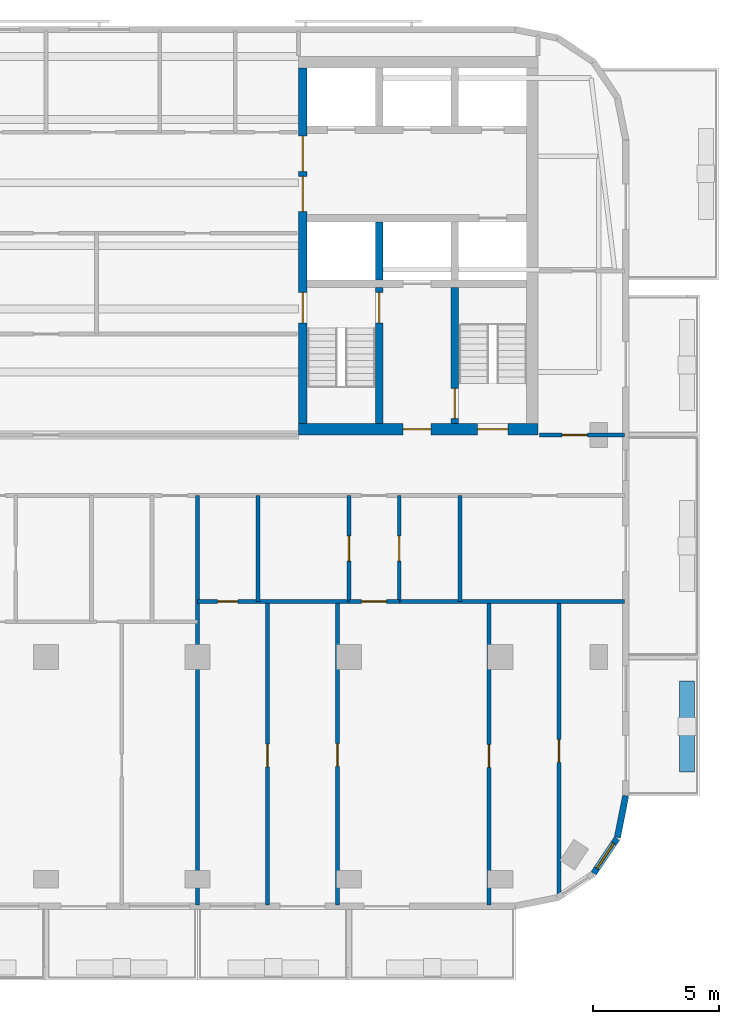
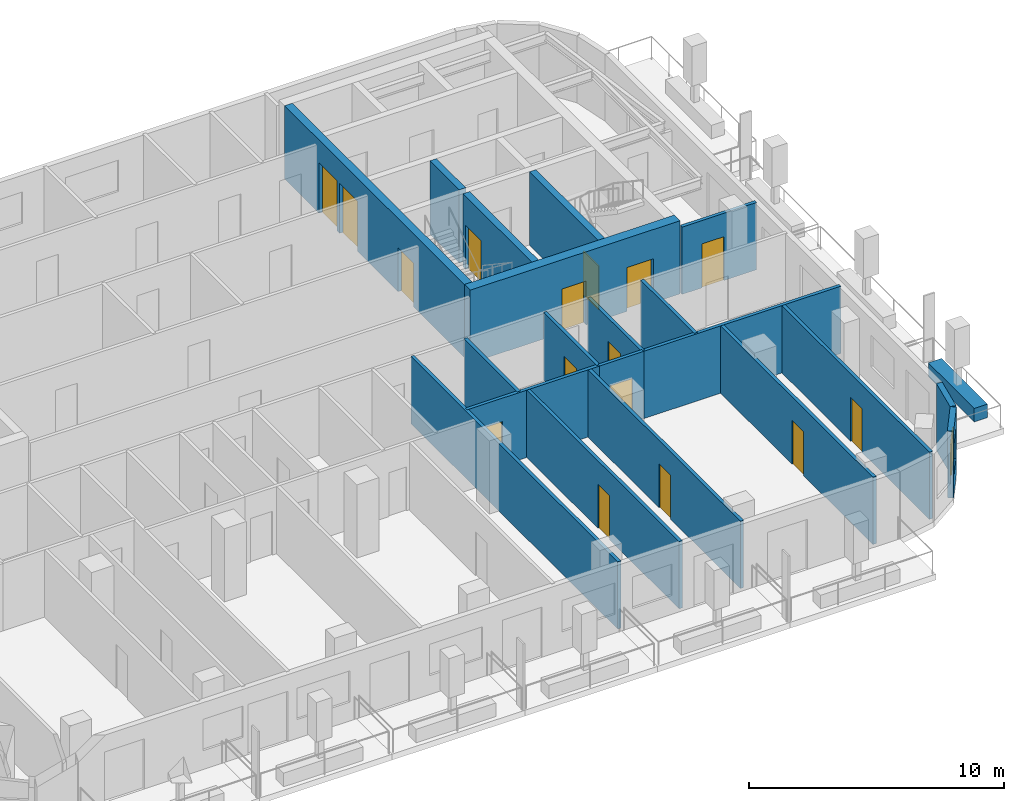
# One storey, part 5 of 11: 21 walls, 16 doors, 1 window, 17 openings.
"""IFC4 building model written with IfcOpenShell, lengths in metres."""

from ifc_helpers import new_model, si_unit, direction, frame, frame_2d, origin, place, context, subcontext, project, spatial, rectangle, extrude, material, layer, layer_set, type_object, element, fill, save


model = new_model("IFC4")

# Units and contexts
model_context = context("Model", 3, precision=1e-05, world=origin(), true_north=direction((0.0, 1.0)))
body_context = subcontext(model_context, "Body", "Model", "MODEL_VIEW")
ifc_project = project(units=[si_unit("LENGTHUNIT", "METRE"), si_unit("AREAUNIT", "SQUARE_METRE"), si_unit("VOLUMEUNIT", "CUBIC_METRE"), si_unit("PLANEANGLEUNIT", "RADIAN"), si_unit("MASSUNIT", "GRAM", prefix="KILO")], contexts=[model_context])

# Site, building, storey
site_placement = place(None, origin())
site = spatial("IfcSite", under=ifc_project, at=site_placement, CompositionType="ELEMENT")
building_placement = place(site_placement, origin())
building = spatial("IfcBuilding", under=site, at=building_placement, Name="Torana Hotel and Residences", CompositionType="ELEMENT")
storey_placement = place(building_placement, frame((0.0, 0.0, 305.10009765625)))
storey = spatial("IfcBuildingStorey", under=building, at=storey_placement, Name="L81", CompositionType="ELEMENT", Elevation=305.10009765625)

# Wall
ifc_material_1 = material(Name="Concrete C60/75", Category="concrete")
ifc_layer_1 = layer(ifc_material_1, 0.300048828125)
ifc_layer_set_1 = layer_set([ifc_layer_1], Name="CORE WALL 300 C60/75")
wall_type_1 = type_object("IfcWallType", Name="CORE WALL 300 C60/75", PredefinedType="SHEAR", material=ifc_layer_set_1)
wall_1_placement = place(storey_placement, frame((13.199951171875, -8.85009765625, 0.0), z_axis=(0.0, 0.0, 1.0), x_axis=(0.0, 1.0, 0.0)))
element("IfcWall", 1, at=wall_1_placement, inside=storey, type_object=wall_type_1, Name="Core wall E x3.05-S", PredefinedType="SHEAR", context=body_context, shape_type="SweptSolid", body=[
    extrude(rectangle(XDim=2.300048828125, YDim=0.300048828125, at=frame_2d((1.14990234375, 0.0))), origin(), (0.0, 0.0, 1.0), 3.5),
])

# Wall, opening, door
wall_2_placement = place(storey_placement, frame((13.199951171875, -14.550048828125, 0.0), z_axis=(0.0, 0.0, 1.0), x_axis=(0.0, 1.0, 0.0)))
wall_2 = element("IfcWall", 2, at=wall_2_placement, inside=storey, type_object=wall_type_1, Name="Core wall E x3.05-band", PredefinedType="SHEAR", context=body_context, shape_type="SweptSolid", body=[
    extrude(rectangle(XDim=5.400146484375, YDim=0.300048828125, at=frame_2d((2.7001953125, 0.0))), origin(), (0.0, 0.0, 1.0), 3.5),
])
opening_1_placement = place(wall_2_placement, frame((4.0, 0.0, 0.0)))
opening_1 = element("IfcOpeningElement", 3, at=opening_1_placement, cuts=wall_2, Name="Opening L81-15", PredefinedType="OPENING", context=body_context, shape_type="SweptSolid", body=[
    extrude(rectangle(XDim=1.199951171875, YDim=2.10009765625, at=frame_2d((0.60009765625, 1.050048828125))), frame((0.0, 0.159912109375, 0.0), z_axis=(0.0, -1.0, 0.0), x_axis=(1.0, 0.0, 0.0)), (0.0, 0.0, 1.0), 0.320068359375),
])
ifc_material_2 = material(Name="Steel S235", Category="steel")
door_type_1 = type_object("IfcDoorType", Name="STAIR FIRE DOOR D3 1200x2100", OperationType="SINGLE_SWING_LEFT", PredefinedType="DOOR", material=ifc_material_2)
door_1_placement = place(opening_1_placement, origin())
door_1 = element("IfcDoor", 4, at=door_1_placement, inside=storey, type_object=door_type_1, Name="Stair-A-lobby door L81", OperationType="SINGLE_SWING_LEFT", OverallHeight=2.10009765625, OverallWidth=1.199951171875, PredefinedType="DOOR", context=body_context, shape_type="SweptSolid", body=[
    extrude(rectangle(XDim=1.199951171875, YDim=2.10009765625, at=frame_2d((0.60009765625, 1.050048828125))), frame((0.0, 0.02490234375, 0.0), z_axis=(0.0, -1.0, 0.0), x_axis=(1.0, 0.0, 0.0)), (0.0, 0.0, 1.0), 0.050048828125),
])
fill(opening_1, door_1)

wall_3_placement = place(storey_placement, frame((16.199951171875, -14.550048828125, 0.0), z_axis=(0.0, 0.0, 1.0), x_axis=(0.0, 1.0, 0.0)))
wall_3 = element("IfcWall", 5, at=wall_3_placement, inside=storey, type_object=wall_type_1, Name="Core wall E x6.05-band", PredefinedType="SHEAR", context=body_context, shape_type="SweptSolid", body=[
    extrude(rectangle(XDim=5.400146484375, YDim=0.300048828125, at=frame_2d((2.7001953125, 0.0))), origin(), (0.0, 0.0, 1.0), 3.5),
])
opening_2_placement = place(wall_3_placement, frame((0.199951171875, 0.0, 0.0)))
opening_2 = element("IfcOpeningElement", 6, at=opening_2_placement, cuts=wall_3, Name="Opening L81-16", PredefinedType="OPENING", context=body_context, shape_type="SweptSolid", body=[
    extrude(rectangle(XDim=1.199951171875, YDim=2.10009765625, at=frame_2d((0.60009765625, 1.050048828125))), frame((0.0, 0.159912109375, 0.0), z_axis=(0.0, -1.0, 0.0), x_axis=(1.0, 0.0, 0.0)), (0.0, 0.0, 1.0), 0.320068359375),
])
door_2_placement = place(opening_2_placement, frame((0.60009765625, 0.0, 0.0), z_axis=(0.0, 0.0, 1.0), x_axis=(-1.0, 0.0, 0.0)))
door_2 = element("IfcDoor", 7, at=door_2_placement, inside=storey, type_object=door_type_1, Name="Stair-B-lobby door L81", OperationType="SINGLE_SWING_LEFT", OverallHeight=2.10009765625, OverallWidth=1.199951171875, PredefinedType="DOOR", context=body_context, shape_type="SweptSolid", body=[
    extrude(rectangle(XDim=1.199951171875, YDim=2.10009765625, at=frame_2d((0.0, 1.050048828125))), frame((0.0, -0.02490234375, 0.0), z_axis=(0.0, 1.0, 0.0), x_axis=(-1.0, 0.0, 0.0)), (0.0, 0.0, 1.0), 0.050048828125),
])
fill(opening_2, door_2)

# Wall, openings, doors
ifc_material_3 = material(Name="Concrete C60/75", Category="concrete")
ifc_layer_2 = layer(ifc_material_3, 0.35009765625)
ifc_layer_set_2 = layer_set([ifc_layer_2], Name="CORE WALL 350 C60/75")
wall_type_2 = type_object("IfcWallType", Name="CORE WALL 350 C60/75", PredefinedType="SHEAR", material=ifc_layer_set_2)
wall_4_placement = place(storey_placement, frame((10.175048828125, -14.550048828125, 0.0), z_axis=(0.0, 0.0, 1.0), x_axis=(0.0, 1.0, 0.0)))
wall_4 = element("IfcWall", 8, at=wall_4_placement, inside=storey, type_object=wall_type_2, Name="Core wall E arch", PredefinedType="SHEAR", context=body_context, shape_type="SweptSolid", body=[
    extrude(rectangle(XDim=14.10009765625, YDim=0.35009765625, at=frame_2d((7.050048828125, 0.0))), origin(), (0.0, 0.0, 1.0), 3.5),
])
opening_3_placement = place(wall_4_placement, frame((8.39990234375, 0.0, 0.0)))
opening_3 = element("IfcOpeningElement", 9, at=opening_3_placement, cuts=wall_4, Name="Opening L81-09", PredefinedType="OPENING", context=body_context, shape_type="SweptSolid", body=[
    extrude(rectangle(XDim=1.39990234375, YDim=2.39990234375, at=frame_2d((0.699951171875, 1.199951171875))), frame((0.0, 0.18505859375, 0.0), z_axis=(0.0, -1.0, 0.0), x_axis=(1.0, 0.0, 0.0)), (0.0, 0.0, 1.0), 0.3701171875),
])
opening_4_placement = place(wall_4_placement, frame((10.0, 0.0, 0.0)))
opening_4 = element("IfcOpeningElement", 10, at=opening_4_placement, cuts=wall_4, Name="Opening L81-10", PredefinedType="OPENING", context=body_context, shape_type="SweptSolid", body=[
    extrude(rectangle(XDim=1.39990234375, YDim=2.39990234375, at=frame_2d((0.699951171875, 1.199951171875))), frame((0.0, 0.18505859375, 0.0), z_axis=(0.0, -1.0, 0.0), x_axis=(1.0, 0.0, 0.0)), (0.0, 0.0, 1.0), 0.3701171875),
])
opening_5_placement = place(wall_4_placement, frame((4.0, 0.0, 0.0)))
opening_5 = element("IfcOpeningElement", 11, at=opening_5_placement, cuts=wall_4, Name="Opening L81-11", PredefinedType="OPENING", context=body_context, shape_type="SweptSolid", body=[
    extrude(rectangle(XDim=1.199951171875, YDim=2.10009765625, at=frame_2d((0.60009765625, 1.050048828125))), frame((0.0, 0.18505859375, 0.0), z_axis=(0.0, -1.0, 0.0), x_axis=(1.0, 0.0, 0.0)), (0.0, 0.0, 1.0), 0.3701171875),
])
ifc_material_4 = material(Name="Steel S235", Category="steel")
door_type_2 = type_object("IfcDoorType", Name="LOBBY FIRE DOOR D4 1400x2400", OperationType="DOUBLE_DOOR_SINGLE_SWING", PredefinedType="DOOR", material=ifc_material_4)
door_3_placement = place(opening_3_placement, origin())
door_3 = element("IfcDoor", 12, at=door_3_placement, inside=storey, type_object=door_type_2, Name="Lobby-1 door L81", OperationType="DOUBLE_DOOR_SINGLE_SWING", OverallHeight=2.39990234375, OverallWidth=1.39990234375, PredefinedType="DOOR", context=body_context, shape_type="SweptSolid", body=[
    extrude(rectangle(XDim=1.39990234375, YDim=2.39990234375, at=frame_2d((0.699951171875, 1.199951171875))), frame((0.0, 0.02490234375, 0.0), z_axis=(0.0, -1.0, 0.0), x_axis=(1.0, 0.0, 0.0)), (0.0, 0.0, 1.0), 0.050048828125),
])
fill(opening_3, door_3)
door_4_placement = place(opening_4_placement, origin())
door_4 = element("IfcDoor", 13, at=door_4_placement, inside=storey, type_object=door_type_2, Name="Lobby-2 door L81", OperationType="DOUBLE_DOOR_SINGLE_SWING", OverallHeight=2.39990234375, OverallWidth=1.39990234375, PredefinedType="DOOR", context=body_context, shape_type="SweptSolid", body=[
    extrude(rectangle(XDim=1.39990234375, YDim=2.39990234375, at=frame_2d((0.699951171875, 1.199951171875))), frame((0.0, 0.02490234375, 0.0), z_axis=(0.0, -1.0, 0.0), x_axis=(1.0, 0.0, 0.0)), (0.0, 0.0, 1.0), 0.050048828125),
])
fill(opening_4, door_4)
door_5_placement = place(opening_5_placement, frame((0.60009765625, 0.0, 0.0), z_axis=(0.0, 0.0, 1.0), x_axis=(-1.0, 0.0, 0.0)))
door_5 = element("IfcDoor", 14, at=door_5_placement, inside=storey, type_object=door_type_1, Name="Stair-A door L81", OperationType="SINGLE_SWING_RIGHT", OverallHeight=2.10009765625, OverallWidth=1.199951171875, PredefinedType="DOOR", context=body_context, shape_type="SweptSolid", body=[
    extrude(rectangle(XDim=1.199951171875, YDim=2.10009765625, at=frame_2d((0.0, 1.050048828125))), frame((0.0, -0.02490234375, 0.0), z_axis=(0.0, 1.0, 0.0), x_axis=(-1.0, 0.0, 0.0)), (0.0, 0.0, 1.0), 0.050048828125),
])
fill(opening_5, door_5)

ifc_material_5 = material(Name="Concrete C60/75", Category="concrete")
ifc_layer_3 = layer(ifc_material_5, 0.449951171875)
ifc_layer_set_3 = layer_set([ifc_layer_3], Name="CORE WALL 450 C60/75")
wall_type_3 = type_object("IfcWallType", Name="CORE WALL 450 C60/75", PredefinedType="SHEAR", material=ifc_layer_set_3)
wall_5_placement = place(storey_placement, frame((10.0, -14.77490234375, 0.0), z_axis=(0.0, 0.0, 1.0), x_axis=(1.0, 0.0, 0.0)))
wall_5 = element("IfcWall", 15, at=wall_5_placement, inside=storey, type_object=wall_type_3, Name="Core wall E front", PredefinedType="SHEAR", context=body_context, shape_type="SweptSolid", body=[
    extrude(rectangle(XDim=9.5, YDim=0.449951171875, at=frame_2d((4.75, 0.0))), origin(), (0.0, 0.0, 1.0), 3.5),
])
opening_6_placement = place(wall_5_placement, frame((7.10009765625, 0.0, 0.0)))
opening_6 = element("IfcOpeningElement", 16, at=opening_6_placement, cuts=wall_5, Name="Opening L81-12", PredefinedType="OPENING", context=body_context, shape_type="SweptSolid", body=[
    extrude(rectangle(XDim=1.199951171875, YDim=2.10009765625, at=frame_2d((0.60009765625, 1.050048828125))), frame((0.0, 0.23486328125, 0.0), z_axis=(0.0, -1.0, 0.0), x_axis=(1.0, 0.0, 0.0)), (0.0, 0.0, 1.0), 0.469970703125),
])
opening_7_placement = place(wall_5_placement, frame((4.14990234375, 0.0, 0.0)))
opening_7 = element("IfcOpeningElement", 17, at=opening_7_placement, cuts=wall_5, Name="Opening L81-13", PredefinedType="OPENING", context=body_context, shape_type="SweptSolid", body=[
    extrude(rectangle(XDim=1.10009765625, YDim=2.10009765625, at=frame_2d((0.550048828125, 1.050048828125))), frame((0.0, 0.23486328125, 0.0), z_axis=(0.0, -1.0, 0.0), x_axis=(1.0, 0.0, 0.0)), (0.0, 0.0, 1.0), 0.469970703125),
])
ifc_material_6 = material(Name="Steel S235", Category="steel")
door_type_3 = type_object("IfcDoorType", Name="FIRE-FIGHTING LOBBY DOOR D8 1100x2100", OperationType="SINGLE_SWING_LEFT", PredefinedType="DOOR", material=ifc_material_6)
door_6_placement = place(opening_7_placement, origin())
door_6 = element("IfcDoor", 18, at=door_6_placement, inside=storey, type_object=door_type_3, Name="FF-lobby door L81", OperationType="SINGLE_SWING_RIGHT", OverallHeight=2.10009765625, OverallWidth=1.10009765625, PredefinedType="DOOR", context=body_context, shape_type="SweptSolid", body=[
    extrude(rectangle(XDim=1.10009765625, YDim=2.10009765625, at=frame_2d((0.550048828125, 1.050048828125))), frame((0.0, 0.02490234375, 0.0), z_axis=(0.0, -1.0, 0.0), x_axis=(1.0, 0.0, 0.0)), (0.0, 0.0, 1.0), 0.050048828125),
])
fill(opening_7, door_6)
door_7_placement = place(opening_6_placement, origin())
door_7 = element("IfcDoor", 19, at=door_7_placement, inside=storey, type_object=door_type_1, Name="Stair-B door L81", OperationType="SINGLE_SWING_RIGHT", OverallHeight=2.10009765625, OverallWidth=1.199951171875, PredefinedType="DOOR", context=body_context, shape_type="SweptSolid", body=[
    extrude(rectangle(XDim=1.199951171875, YDim=2.10009765625, at=frame_2d((0.60009765625, 1.050048828125))), frame((0.0, 0.02490234375, 0.0), z_axis=(0.0, -1.0, 0.0), x_axis=(1.0, 0.0, 0.0)), (0.0, 0.0, 1.0), 0.050048828125),
])
fill(opening_6, door_7)

# Wall, opening, window
ifc_material_7 = material(Name="Black aluminium composite panel", Category="aluminium")
ifc_layer_4 = layer(ifc_material_7, 0.00390625, Name="Cladding", Category="cladding")
ifc_material_8 = material(Name="Ventilated air cavity")
ifc_layer_5 = layer(ifc_material_8, 0.0400390625, Name="Ventilated cavity", Category="cavity")
ifc_material_9 = material(Name="Mineral wool insulation")
ifc_layer_6 = layer(ifc_material_9, 0.090087890625, Name="Insulation", Category="insulation")
ifc_material_10 = material(Name="Steel S280GD", Category="steel")
ifc_layer_7 = layer(ifc_material_10, 0.092041015625, Name="Steel stud frame", Category="structure")
ifc_material_11 = material(Name="Fire rated plasterboard")
ifc_layer_8 = layer(ifc_material_11, 0.011962890625, Name="Inner board", Category="finish")
ifc_layer_9 = layer(ifc_material_11, 0.011962890625, Name="Second board", Category="finish")
ifc_layer_set_4 = layer_set([ifc_layer_4, ifc_layer_5, ifc_layer_6, ifc_layer_7, ifc_layer_8, ifc_layer_9], Name="EW1 EXTERNAL WALL BLACK METAL CLAD 250")
wall_type_4 = type_object("IfcWallType", Name="EW1 EXTERNAL WALL BLACK METAL CLAD 250", PredefinedType="SOLIDWALL", material=ifc_layer_set_4)
wall_6_placement = place(storey_placement, frame((21.705810546875, -32.37109375, 0.0), z_axis=(0.0, 0.0, 1.0), x_axis=(0.55555029066, 0.831482937015, 0.0)))
wall_6 = element("IfcWall", 20, at=wall_6_placement, inside=storey, type_object=wall_type_4, Name="External wall L81 e0.17", PredefinedType="SOLIDWALL", context=body_context, shape_type="SweptSolid", body=[
    extrude(rectangle(XDim=1.65625, YDim=0.25, at=frame_2d((0.828125, 0.0))), origin(), (0.0, 0.0, 1.0), 3.199951171875),
])
opening_8_placement = place(wall_6_placement, frame((0.228271484375, 0.0, 0.89990234375)))
opening_8 = element("IfcOpeningElement", 21, at=opening_8_placement, cuts=wall_6, Name="Opening W5", PredefinedType="OPENING", context=body_context, shape_type="SweptSolid", body=[
    extrude(rectangle(XDim=1.199951171875, YDim=1.5, at=frame_2d((0.60009765625, 0.75))), frame((0.0, 0.135009765625, 0.0), z_axis=(0.0, -1.0, 0.0), x_axis=(1.0, 0.0, 0.0)), (0.0, 0.0, 1.0), 0.27001953125),
])
ifc_material_12 = material(Name="Dark glass in black aluminium frame", Category="aluminium")
window_type = type_object("IfcWindowType", Name="W5 CORNER FACET WINDOW 1200x1500", PartitioningType="SINGLE_PANEL", PredefinedType="WINDOW", material=ifc_material_12)
window_placement = place(opening_8_placement, origin())
window = element("IfcWindow", 22, at=window_placement, inside=storey, type_object=window_type, Name="Window L81 e0.17", OverallHeight=1.5, OverallWidth=1.199951171875, PartitioningType="SINGLE_PANEL", PredefinedType="WINDOW", context=body_context, shape_type="SweptSolid", body=[
    extrude(rectangle(XDim=1.199951171875, YDim=1.5, at=frame_2d((0.60009765625, 0.75))), frame((0.0, 0.030029296875, 0.0), z_axis=(0.0, -1.0, 0.0), x_axis=(1.0, 0.0, 0.0)), (0.0, 0.0, 1.0), 0.06005859375),
])
fill(opening_8, window)

# Wall
wall_7_placement = place(storey_placement, frame((22.64453125, -30.948974609375, 0.0), z_axis=(0.0, 0.0, 1.0), x_axis=(0.19513878023, 0.980775640221, 0.0)))
element("IfcWall", 23, at=wall_7_placement, inside=storey, type_object=wall_type_4, Name="External wall L81 e0.18", PredefinedType="SOLIDWALL", context=body_context, shape_type="SweptSolid", body=[
    extrude(rectangle(XDim=1.681396484375, YDim=0.25, at=frame_2d((0.8408203125, 0.0))), origin(), (0.0, 0.0, 1.0), 3.199951171875),
])

# Wall, opening, door
ifc_material_13 = material(Name="Gypsum plaster")
ifc_layer_10 = layer(ifc_material_13, 0.014892578125, Name="Plaster", Category="finish")
ifc_material_14 = material(Name="Concrete blockwork", Category="masonry")
ifc_layer_11 = layer(ifc_material_14, 0.1201171875, Name="Blockwork", Category="structure")
ifc_layer_12 = layer(ifc_material_13, 0.014892578125, Name="Plaster", Category="finish")
ifc_layer_set_5 = layer_set([ifc_layer_10, ifc_layer_11, ifc_layer_12], Name="FIRE PARTITION 150 BLOCKWORK")
wall_type_5 = type_object("IfcWallType", Name="FIRE PARTITION 150 BLOCKWORK", PredefinedType="PARTITIONING", material=ifc_layer_set_5)
wall_8_placement = place(storey_placement, frame((14.0, -21.60009765625, 0.0), z_axis=(0.0, 0.0, 1.0), x_axis=(0.0, 1.0, 0.0)))
wall_8 = element("IfcWall", 24, at=wall_8_placement, inside=storey, type_object=wall_type_5, Name="Partition L81", PredefinedType="PARTITIONING", context=body_context, shape_type="SweptSolid", body=[
    extrude(rectangle(XDim=4.2001953125, YDim=0.14990234375, at=frame_2d((2.10009765625, 0.0))), origin(), (0.0, 0.0, 1.0), 3.219970703125),
])
opening_9_placement = place(wall_8_placement, frame((1.60009765625, 0.0, 0.0)))
opening_9 = element("IfcOpeningElement", 25, at=opening_9_placement, cuts=wall_8, Name="Opening L81-53", PredefinedType="OPENING", context=body_context, shape_type="SweptSolid", body=[
    extrude(rectangle(XDim=1.0, YDim=2.10009765625, at=frame_2d((0.5, 1.050048828125))), frame((0.0, 0.0849609375, 0.0), z_axis=(0.0, -1.0, 0.0), x_axis=(1.0, 0.0, 0.0)), (0.0, 0.0, 1.0), 0.169921875),
])
ifc_material_15 = material(Name="Steel S235", Category="steel")
door_type_4 = type_object("IfcDoorType", Name="ENTRY FIRE DOOR D6 1000x2100", OperationType="SINGLE_SWING_LEFT", PredefinedType="DOOR", material=ifc_material_15)
door_8_placement = place(opening_9_placement, frame((0.5, 0.0, 0.0), z_axis=(0.0, 0.0, 1.0), x_axis=(-1.0, 0.0, 0.0)))
door_8 = element("IfcDoor", 26, at=door_8_placement, inside=storey, type_object=door_type_4, Name="Door L81", OperationType="SINGLE_SWING_LEFT", OverallHeight=2.10009765625, OverallWidth=1.0, PredefinedType="DOOR", context=body_context, shape_type="SweptSolid", body=[
    extrude(rectangle(XDim=1.0, YDim=2.10009765625, at=frame_2d((0.0, 1.050048828125))), frame((0.0, -0.02490234375, 0.0), z_axis=(0.0, 1.0, 0.0), x_axis=(-1.0, 0.0, 0.0)), (0.0, 0.0, 1.0), 0.050048828125),
])
fill(opening_9, door_8)

wall_9_placement = place(storey_placement, frame((12.0, -21.60009765625, 0.0), z_axis=(0.0, 0.0, 1.0), x_axis=(0.0, 1.0, 0.0)))
wall_9 = element("IfcWall", 27, at=wall_9_placement, inside=storey, type_object=wall_type_5, Name="Partition L81", PredefinedType="PARTITIONING", context=body_context, shape_type="SweptSolid", body=[
    extrude(rectangle(XDim=4.2001953125, YDim=0.14990234375, at=frame_2d((2.10009765625, 0.0))), origin(), (0.0, 0.0, 1.0), 3.219970703125),
])
opening_10_placement = place(wall_9_placement, frame((1.60009765625, 0.0, 0.0)))
opening_10 = element("IfcOpeningElement", 28, at=opening_10_placement, cuts=wall_9, Name="Opening L81-52", PredefinedType="OPENING", context=body_context, shape_type="SweptSolid", body=[
    extrude(rectangle(XDim=1.0, YDim=2.10009765625, at=frame_2d((0.5, 1.050048828125))), frame((0.0, 0.0849609375, 0.0), z_axis=(0.0, -1.0, 0.0), x_axis=(1.0, 0.0, 0.0)), (0.0, 0.0, 1.0), 0.169921875),
])
door_9_placement = place(opening_10_placement, origin())
door_9 = element("IfcDoor", 29, at=door_9_placement, inside=storey, type_object=door_type_4, Name="Door L81", OperationType="SINGLE_SWING_RIGHT", OverallHeight=2.10009765625, OverallWidth=1.0, PredefinedType="DOOR", context=body_context, shape_type="SweptSolid", body=[
    extrude(rectangle(XDim=1.0, YDim=2.10009765625, at=frame_2d((0.5, 1.050048828125))), frame((0.0, 0.02490234375, 0.0), z_axis=(0.0, -1.0, 0.0), x_axis=(1.0, 0.0, 0.0)), (0.0, 0.0, 1.0), 0.050048828125),
])
fill(opening_10, door_9)

wall_10_placement = place(storey_placement, frame((12.0, -21.60009765625, 0.0), z_axis=(0.0, 0.0, 1.0), x_axis=(1.0, 0.0, 0.0)))
wall_10 = element("IfcWall", 30, at=wall_10_placement, inside=storey, type_object=wall_type_5, Name="Partition L81", PredefinedType="PARTITIONING", context=body_context, shape_type="SweptSolid", body=[
    extrude(rectangle(XDim=2.0, YDim=0.14990234375, at=frame_2d((1.0, 0.0))), origin(), (0.0, 0.0, 1.0), 3.219970703125),
])
opening_11_placement = place(wall_10_placement, frame((0.5, 0.0, 0.0)))
opening_11 = element("IfcOpeningElement", 31, at=opening_11_placement, cuts=wall_10, Name="Opening L81-54", PredefinedType="OPENING", context=body_context, shape_type="SweptSolid", body=[
    extrude(rectangle(XDim=1.0, YDim=2.10009765625, at=frame_2d((0.5, 1.050048828125))), frame((0.0, 0.0849609375, 0.0), z_axis=(0.0, -1.0, 0.0), x_axis=(1.0, 0.0, 0.0)), (0.0, 0.0, 1.0), 0.169921875),
])
door_10_placement = place(opening_11_placement, frame((0.5, 0.0, 0.0), z_axis=(0.0, 0.0, 1.0), x_axis=(-1.0, 0.0, 0.0)))
door_10 = element("IfcDoor", 32, at=door_10_placement, inside=storey, type_object=door_type_4, Name="Door L81", OperationType="SINGLE_SWING_LEFT", OverallHeight=2.10009765625, OverallWidth=1.0, PredefinedType="DOOR", context=body_context, shape_type="SweptSolid", body=[
    extrude(rectangle(XDim=1.0, YDim=2.10009765625, at=frame_2d((0.0, 1.050048828125))), frame((0.0, -0.02490234375, 0.0), z_axis=(0.0, 1.0, 0.0), x_axis=(-1.0, 0.0, 0.0)), (0.0, 0.0, 1.0), 0.050048828125),
])
fill(opening_11, door_10)

wall_11_placement = place(storey_placement, frame((19.550048828125, -15.0, 0.0), z_axis=(0.0, 0.0, 1.0), x_axis=(1.0, 0.0, 0.0)))
wall_11 = element("IfcWall", 33, at=wall_11_placement, inside=storey, type_object=wall_type_5, Name="Partition L81", PredefinedType="PARTITIONING", context=body_context, shape_type="SweptSolid", body=[
    extrude(rectangle(XDim=3.369873046875, YDim=0.14990234375, at=frame_2d((1.68505859375, 0.0))), origin(), (0.0, 0.0, 1.0), 3.219970703125),
])
opening_12_placement = place(wall_11_placement, frame((0.89990234375, 0.0, 0.0)))
opening_12 = element("IfcOpeningElement", 34, at=opening_12_placement, cuts=wall_11, Name="Opening L81-26", PredefinedType="OPENING", context=body_context, shape_type="SweptSolid", body=[
    extrude(rectangle(XDim=1.0, YDim=2.10009765625, at=frame_2d((0.5, 1.050048828125))), frame((0.0, 0.0849609375, 0.0), z_axis=(0.0, -1.0, 0.0), x_axis=(1.0, 0.0, 0.0)), (0.0, 0.0, 1.0), 0.169921875),
])
ifc_material_16 = material(Name="Steel S235", Category="steel")
door_type_5 = type_object("IfcDoorType", Name="CORE ROOM FIRE DOOR D14 1000x2100", OperationType="SINGLE_SWING_LEFT", PredefinedType="DOOR", material=ifc_material_16)
door_11_placement = place(opening_12_placement, origin())
door_11 = element("IfcDoor", 35, at=door_11_placement, inside=storey, type_object=door_type_5, Name="Door L81", OperationType="SINGLE_SWING_LEFT", OverallHeight=2.10009765625, OverallWidth=1.0, PredefinedType="DOOR", context=body_context, shape_type="SweptSolid", body=[
    extrude(rectangle(XDim=1.0, YDim=2.10009765625, at=frame_2d((0.5, 1.050048828125))), frame((0.0, 0.02490234375, 0.0), z_axis=(0.0, -1.0, 0.0), x_axis=(1.0, 0.0, 0.0)), (0.0, 0.0, 1.0), 0.050048828125),
])
fill(opening_12, door_11)

ifc_material_17 = material(Name="Gypsum plasterboard")
ifc_layer_13 = layer(ifc_material_17, 0.012451171875, Name="Plasterboard", Category="finish")
ifc_layer_14 = layer(ifc_material_17, 0.012451171875, Name="Plasterboard", Category="finish")
ifc_layer_15 = layer(ifc_material_10, 0.10009765625, Name="Steel studs with mineral wool", Category="insulation")
ifc_layer_16 = layer(ifc_material_17, 0.012451171875, Name="Plasterboard", Category="finish")
ifc_layer_17 = layer(ifc_material_17, 0.012451171875, Name="Plasterboard", Category="finish")
ifc_layer_set_6 = layer_set([ifc_layer_13, ifc_layer_14, ifc_layer_15, ifc_layer_16, ifc_layer_17], Name="PARTITION 150 PLASTERBOARD")
wall_type_6 = type_object("IfcWallType", Name="PARTITION 150 PLASTERBOARD", PredefinedType="PARTITIONING", material=ifc_layer_set_6)
wall_12_placement = place(storey_placement, frame((20.324951171875, -33.239013671875, 0.0), z_axis=(0.0, 0.0, 1.0), x_axis=(0.0, 1.0, 0.0)))
wall_12 = element("IfcWall", 36, at=wall_12_placement, inside=storey, type_object=wall_type_6, Name="Partition L81", PredefinedType="PARTITIONING", context=body_context, shape_type="SweptSolid", body=[
    extrude(rectangle(XDim=11.638916015625, YDim=0.14990234375, at=frame_2d((5.8193359375, 0.0))), origin(), (0.0, 0.0, 1.0), 3.219970703125),
])
opening_13_placement = place(wall_12_placement, frame((5.26904296875, 0.0, 0.0)))
opening_13 = element("IfcOpeningElement", 37, at=opening_13_placement, cuts=wall_12, Name="Opening L81-58", PredefinedType="OPENING", context=body_context, shape_type="SweptSolid", body=[
    extrude(rectangle(XDim=0.89990234375, YDim=2.10009765625, at=frame_2d((0.449951171875, 1.050048828125))), frame((0.0, 0.0849609375, 0.0), z_axis=(0.0, -1.0, 0.0), x_axis=(1.0, 0.0, 0.0)), (0.0, 0.0, 1.0), 0.169921875),
])
ifc_material_18 = material(Name="Timber door, oiled ash", Category="wood")
door_type_6 = type_object("IfcDoorType", Name="ROOM DOOR D7 900x2100", OperationType="SINGLE_SWING_LEFT", PredefinedType="DOOR", material=ifc_material_18)
door_12_placement = place(opening_13_placement, origin())
door_12 = element("IfcDoor", 38, at=door_12_placement, inside=storey, type_object=door_type_6, Name="Door L81", OperationType="SINGLE_SWING_RIGHT", OverallHeight=2.10009765625, OverallWidth=0.89990234375, PredefinedType="DOOR", context=body_context, shape_type="SweptSolid", body=[
    extrude(rectangle(XDim=0.89990234375, YDim=2.10009765625, at=frame_2d((0.449951171875, 1.050048828125))), frame((0.0, 0.02490234375, 0.0), z_axis=(0.0, -1.0, 0.0), x_axis=(1.0, 0.0, 0.0)), (0.0, 0.0, 1.0), 0.050048828125),
])
fill(opening_13, door_12)

wall_13_placement = place(storey_placement, frame((17.550048828125, -33.6201171875, 0.0), z_axis=(0.0, 0.0, 1.0), x_axis=(0.0, 1.0, 0.0)))
wall_13 = element("IfcWall", 39, at=wall_13_placement, inside=storey, type_object=wall_type_6, Name="Partition L81", PredefinedType="PARTITIONING", context=body_context, shape_type="SweptSolid", body=[
    extrude(rectangle(XDim=12.02001953125, YDim=0.14990234375, at=frame_2d((6.010009765625, 0.0))), origin(), (0.0, 0.0, 1.0), 3.219970703125),
])
opening_14_placement = place(wall_13_placement, frame((5.449951171875, 0.0, 0.0)))
opening_14 = element("IfcOpeningElement", 40, at=opening_14_placement, cuts=wall_13, Name="Opening L81-56", PredefinedType="OPENING", context=body_context, shape_type="SweptSolid", body=[
    extrude(rectangle(XDim=0.89990234375, YDim=2.10009765625, at=frame_2d((0.449951171875, 1.050048828125))), frame((0.0, 0.0849609375, 0.0), z_axis=(0.0, -1.0, 0.0), x_axis=(1.0, 0.0, 0.0)), (0.0, 0.0, 1.0), 0.169921875),
])
door_13_placement = place(opening_14_placement, origin())
door_13 = element("IfcDoor", 41, at=door_13_placement, inside=storey, type_object=door_type_6, Name="Door L81", OperationType="SINGLE_SWING_RIGHT", OverallHeight=2.10009765625, OverallWidth=0.89990234375, PredefinedType="DOOR", context=body_context, shape_type="SweptSolid", body=[
    extrude(rectangle(XDim=0.89990234375, YDim=2.10009765625, at=frame_2d((0.449951171875, 1.050048828125))), frame((0.0, 0.02490234375, 0.0), z_axis=(0.0, -1.0, 0.0), x_axis=(1.0, 0.0, 0.0)), (0.0, 0.0, 1.0), 0.050048828125),
])
fill(opening_14, door_13)

# Wall
wall_14_placement = place(storey_placement, frame((16.39990234375, -21.60009765625, 0.0), z_axis=(0.0, 0.0, 1.0), x_axis=(0.0, 1.0, 0.0)))
element("IfcWall", 42, at=wall_14_placement, inside=storey, type_object=wall_type_6, Name="Partition L81", PredefinedType="PARTITIONING", context=body_context, shape_type="SweptSolid", body=[
    extrude(rectangle(XDim=4.2001953125, YDim=0.14990234375, at=frame_2d((2.10009765625, 0.0))), origin(), (0.0, 0.0, 1.0), 3.219970703125),
])

# Wall, opening, door
wall_15_placement = place(storey_placement, frame((11.550048828125, -33.6201171875, 0.0), z_axis=(0.0, 0.0, 1.0), x_axis=(0.0, 1.0, 0.0)))
wall_15 = element("IfcWall", 43, at=wall_15_placement, inside=storey, type_object=wall_type_6, Name="Partition L81", PredefinedType="PARTITIONING", context=body_context, shape_type="SweptSolid", body=[
    extrude(rectangle(XDim=12.02001953125, YDim=0.14990234375, at=frame_2d((6.010009765625, 0.0))), origin(), (0.0, 0.0, 1.0), 3.219970703125),
])
opening_15_placement = place(wall_15_placement, frame((5.489990234375, 0.0, 0.0)))
opening_15 = element("IfcOpeningElement", 44, at=opening_15_placement, cuts=wall_15, Name="Opening L81-55", PredefinedType="OPENING", context=body_context, shape_type="SweptSolid", body=[
    extrude(rectangle(XDim=0.89990234375, YDim=2.10009765625, at=frame_2d((0.449951171875, 1.050048828125))), frame((0.0, 0.0849609375, 0.0), z_axis=(0.0, -1.0, 0.0), x_axis=(1.0, 0.0, 0.0)), (0.0, 0.0, 1.0), 0.169921875),
])
door_14_placement = place(opening_15_placement, origin())
door_14 = element("IfcDoor", 45, at=door_14_placement, inside=storey, type_object=door_type_6, Name="Door L81", OperationType="SINGLE_SWING_RIGHT", OverallHeight=2.10009765625, OverallWidth=0.89990234375, PredefinedType="DOOR", context=body_context, shape_type="SweptSolid", body=[
    extrude(rectangle(XDim=0.89990234375, YDim=2.10009765625, at=frame_2d((0.449951171875, 1.050048828125))), frame((0.0, 0.02490234375, 0.0), z_axis=(0.0, -1.0, 0.0), x_axis=(1.0, 0.0, 0.0)), (0.0, 0.0, 1.0), 0.050048828125),
])
fill(opening_15, door_14)

wall_16_placement = place(storey_placement, frame((8.77490234375, -33.6201171875, 0.0), z_axis=(0.0, 0.0, 1.0), x_axis=(0.0, 1.0, 0.0)))
wall_16 = element("IfcWall", 46, at=wall_16_placement, inside=storey, type_object=wall_type_6, Name="Partition L81", PredefinedType="PARTITIONING", context=body_context, shape_type="SweptSolid", body=[
    extrude(rectangle(XDim=12.02001953125, YDim=0.14990234375, at=frame_2d((6.010009765625, 0.0))), origin(), (0.0, 0.0, 1.0), 3.219970703125),
])
opening_16_placement = place(wall_16_placement, frame((5.469970703125, 0.0, 0.0)))
opening_16 = element("IfcOpeningElement", 47, at=opening_16_placement, cuts=wall_16, Name="Opening L81-57", PredefinedType="OPENING", context=body_context, shape_type="SweptSolid", body=[
    extrude(rectangle(XDim=0.89990234375, YDim=2.10009765625, at=frame_2d((0.449951171875, 1.050048828125))), frame((0.0, 0.0849609375, 0.0), z_axis=(0.0, -1.0, 0.0), x_axis=(1.0, 0.0, 0.0)), (0.0, 0.0, 1.0), 0.169921875),
])
door_15_placement = place(opening_16_placement, origin())
door_15 = element("IfcDoor", 48, at=door_15_placement, inside=storey, type_object=door_type_6, Name="Door L81", OperationType="SINGLE_SWING_RIGHT", OverallHeight=2.10009765625, OverallWidth=0.89990234375, PredefinedType="DOOR", context=body_context, shape_type="SweptSolid", body=[
    extrude(rectangle(XDim=0.89990234375, YDim=2.10009765625, at=frame_2d((0.449951171875, 1.050048828125))), frame((0.0, 0.02490234375, 0.0), z_axis=(0.0, -1.0, 0.0), x_axis=(1.0, 0.0, 0.0)), (0.0, 0.0, 1.0), 0.050048828125),
])
fill(opening_16, door_15)

# Walls
wall_17_placement = place(storey_placement, frame((8.39990234375, -21.60009765625, 0.0), z_axis=(0.0, 0.0, 1.0), x_axis=(0.0, 1.0, 0.0)))
element("IfcWall", 49, at=wall_17_placement, inside=storey, type_object=wall_type_6, Name="Partition L81", PredefinedType="PARTITIONING", context=body_context, shape_type="SweptSolid", body=[
    extrude(rectangle(XDim=4.2001953125, YDim=0.14990234375, at=frame_2d((2.10009765625, 0.0))), origin(), (0.0, 0.0, 1.0), 3.219970703125),
])
wall_18_placement = place(storey_placement, frame((6.0, -33.6201171875, 0.0), z_axis=(0.0, 0.0, 1.0), x_axis=(0.0, 1.0, 0.0)))
element("IfcWall", 50, at=wall_18_placement, inside=storey, type_object=wall_type_6, Name="Partition L81", PredefinedType="PARTITIONING", context=body_context, shape_type="SweptSolid", body=[
    extrude(rectangle(XDim=16.22021484375, YDim=0.14990234375, at=frame_2d((8.110107421875, 0.0))), origin(), (0.0, 0.0, 1.0), 3.219970703125),
])

# Wall, opening, door
wall_19_placement = place(storey_placement, frame((6.0, -21.60009765625, 0.0), z_axis=(0.0, 0.0, 1.0), x_axis=(1.0, 0.0, 0.0)))
wall_19 = element("IfcWall", 51, at=wall_19_placement, inside=storey, type_object=wall_type_6, Name="Partition L81", PredefinedType="PARTITIONING", context=body_context, shape_type="SweptSolid", body=[
    extrude(rectangle(XDim=6.0, YDim=0.14990234375, at=frame_2d((3.0, 0.0))), origin(), (0.0, 0.0, 1.0), 3.219970703125),
])
opening_17_placement = place(wall_19_placement, frame((0.800048828125, 0.0, 0.0)))
opening_17 = element("IfcOpeningElement", 52, at=opening_17_placement, cuts=wall_19, Name="Opening L81-51", PredefinedType="OPENING", context=body_context, shape_type="SweptSolid", body=[
    extrude(rectangle(XDim=0.800048828125, YDim=2.10009765625, at=frame_2d((0.39990234375, 1.050048828125))), frame((0.0, 0.0849609375, 0.0), z_axis=(0.0, -1.0, 0.0), x_axis=(1.0, 0.0, 0.0)), (0.0, 0.0, 1.0), 0.169921875),
])
ifc_material_19 = material(Name="Timber door, painted", Category="wood")
door_type_7 = type_object("IfcDoorType", Name="BATH DOOR D13 800x2100", OperationType="SINGLE_SWING_LEFT", PredefinedType="DOOR", material=ifc_material_19)
door_16_placement = place(opening_17_placement, origin())
door_16 = element("IfcDoor", 53, at=door_16_placement, inside=storey, type_object=door_type_7, Name="Door L81", OperationType="SINGLE_SWING_RIGHT", OverallHeight=2.10009765625, OverallWidth=0.800048828125, PredefinedType="DOOR", context=body_context, shape_type="SweptSolid", body=[
    extrude(rectangle(XDim=0.800048828125, YDim=2.10009765625, at=frame_2d((0.39990234375, 1.050048828125))), frame((0.0, 0.02490234375, 0.0), z_axis=(0.0, -1.0, 0.0), x_axis=(1.0, 0.0, 0.0)), (0.0, 0.0, 1.0), 0.050048828125),
])
fill(opening_17, door_16)

# Walls
wall_20_placement = place(storey_placement, frame((14.0, -21.60009765625, 0.0), z_axis=(0.0, 0.0, 1.0), x_axis=(1.0, 0.0, 0.0)))
element("IfcWall", 54, at=wall_20_placement, inside=storey, type_object=wall_type_6, Name="Partition L81", PredefinedType="PARTITIONING", context=body_context, shape_type="SweptSolid", body=[
    extrude(rectangle(XDim=8.919921875, YDim=0.14990234375, at=frame_2d((4.4599609375, 0.0))), origin(), (0.0, 0.0, 1.0), 3.219970703125),
])
ifc_material_20 = material(Name="Concrete C40/50 precast", Category="concrete")
ifc_layer_18 = layer(ifc_material_20, 0.10009765625, Name="Planter shell", Category="structure")
ifc_material_21 = material(Name="Root resistant membrane")
ifc_layer_19 = layer(ifc_material_21, 0.00390625, Name="Waterproofing membrane", Category="membrane")
ifc_material_22 = material(Name="Drainage board with filter fleece")
ifc_layer_20 = layer(ifc_material_22, 0.02001953125, Name="Drainage board", Category="drainage")
ifc_material_23 = material(Name="Growing medium")
ifc_layer_21 = layer(ifc_material_23, 0.47607421875, Name="Planting substrate", Category="soil")
ifc_layer_set_7 = layer_set([ifc_layer_18, ifc_layer_19, ifc_layer_20, ifc_layer_21], Name="PL1 BALCONY PLANTER 600")
wall_type_7 = type_object("IfcWallType", Name="PL1 BALCONY PLANTER 600", PredefinedType="USERDEFINED", material=ifc_layer_set_7)
wall_21_placement = place(storey_placement, frame((25.39990234375, -24.75, 0.0), z_axis=(0.0, 0.0, 1.0), x_axis=(0.0, -1.0, 0.0)))
element("IfcWall", 55, at=wall_21_placement, inside=storey, type_object=wall_type_7, Name="Planter 11", ObjectType="PLANTER", PredefinedType="USERDEFINED", context=body_context, shape_type="SweptSolid", body=[
    extrude(rectangle(XDim=3.60009765625, YDim=0.60009765625, at=frame_2d((1.800048828125, 0.0))), origin(), (0.0, 0.0, 1.0), 0.64990234375),
])

save(model, "model.ifc")
